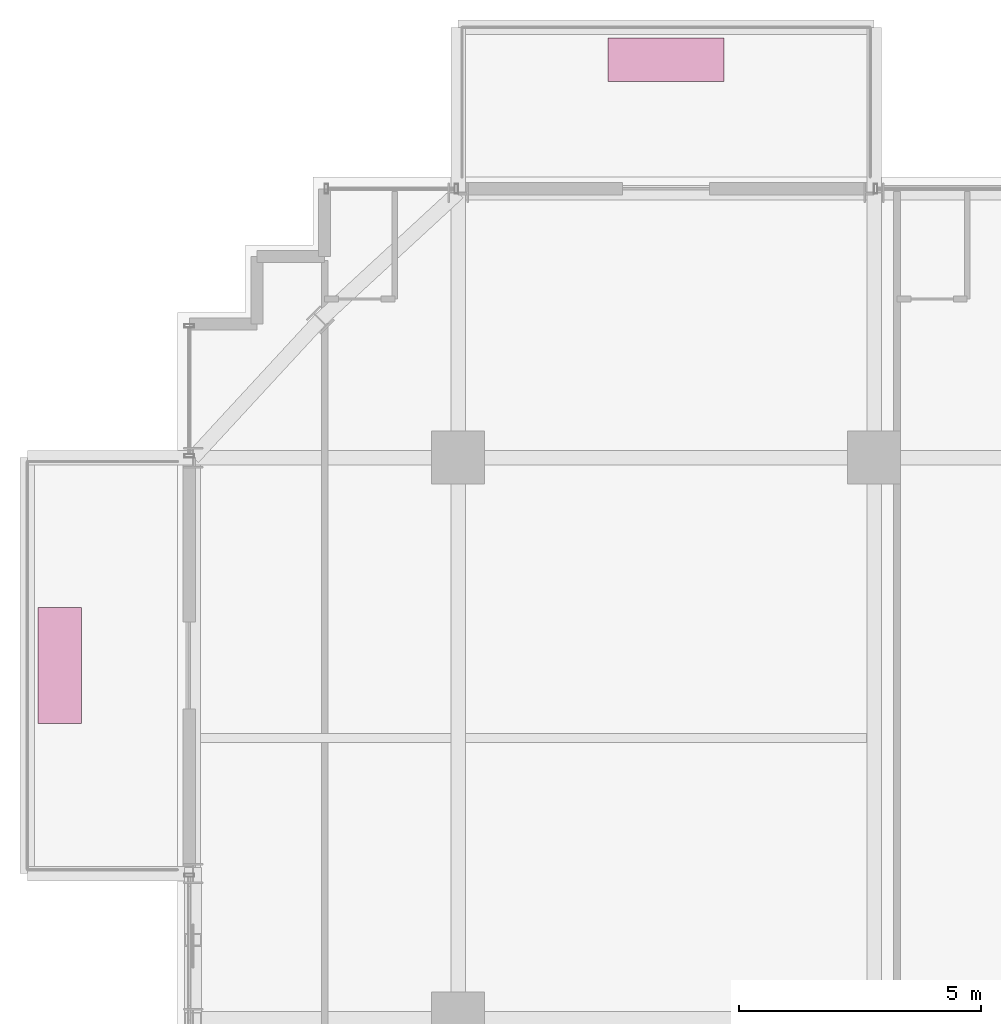
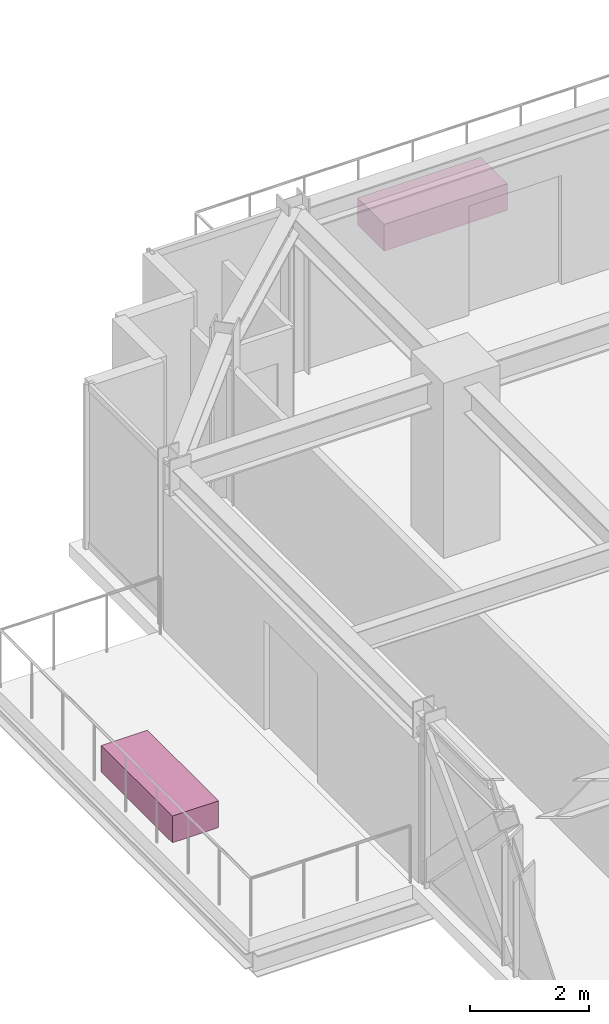
# One storey, part 37 of 37: 2 furnishings.
"""IFC4 building model written with IfcOpenShell, lengths in metres."""

from ifc_helpers import new_model, si_unit, direction, frame, origin, origin_2d, place, context, subcontext, project, spatial, rectangle, extrude, source, transform, mapped, material, type_object, element, save


model = new_model("IFC4")

# Units and contexts
model_context = context("Model", 3, precision=1e-05, world=origin(), true_north=direction((0.0, 1.0)))
body_context = subcontext(model_context, "Body", "Model", "MODEL_VIEW")
ifc_project = project(units=[si_unit("LENGTHUNIT", "METRE"), si_unit("AREAUNIT", "SQUARE_METRE"), si_unit("VOLUMEUNIT", "CUBIC_METRE"), si_unit("PLANEANGLEUNIT", "RADIAN"), si_unit("MASSUNIT", "GRAM", prefix="KILO")], contexts=[model_context])

# Site, building, storey
site_placement = place(None, origin())
site = spatial("IfcSite", under=ifc_project, at=site_placement, CompositionType="ELEMENT")
building_placement = place(site_placement, origin())
building = spatial("IfcBuilding", under=site, at=building_placement, Name="Nahalor Promenade Grand Hotel", CompositionType="ELEMENT")
storey_placement = place(building_placement, frame((0.0, 0.0, 167.25)))
storey = spatial("IfcBuildingStorey", under=building, at=storey_placement, Name="L42", CompositionType="ELEMENT", Elevation=167.25)

# Furnishings
ifc_material = material(Name="Vegetated Volcanic-Lapilli Tree Planter", Category="earth")
furnishing_element_type = type_object("IfcFurnishingElementType", Name="Planter-VerticalForest-Box", material=ifc_material)
shared_shape = source(origin(), body_context, "Body", "SweptSolid", [
    extrude(rectangle(XDim=2.39990234375, YDim=0.89990234375, at=origin_2d()), origin(), (0.0, 0.0, 1.0), 0.550048828125),
])
for number, where, z_axis, x_axis, name in (
    (1, (-12.699951171875, 25.22998046875, 0.0), (0.0, 0.0, 1.0), (1.0, 0.0, 0.0), "L42 Balcony Structural Tree Planter 1"),
    (2, (-25.239990234375, 12.699951171875, 0.0), (0.0, 0.0, 1.0), (0.0, 1.0, 0.0), "L42 Balcony Structural Tree Planter 2"),
):
    element("IfcFurnishingElement", number, at=place(storey_placement, frame(where, z_axis=z_axis, x_axis=x_axis)), inside=storey, type_object=furnishing_element_type, Name=name, ObjectType="PLANTER", context=body_context, shape_type="MappedRepresentation", body=[
        mapped(shared_shape, transform((0.0, 0.0, 0.0), scale=1.0)),
    ])

save(model, "model.ifc")
